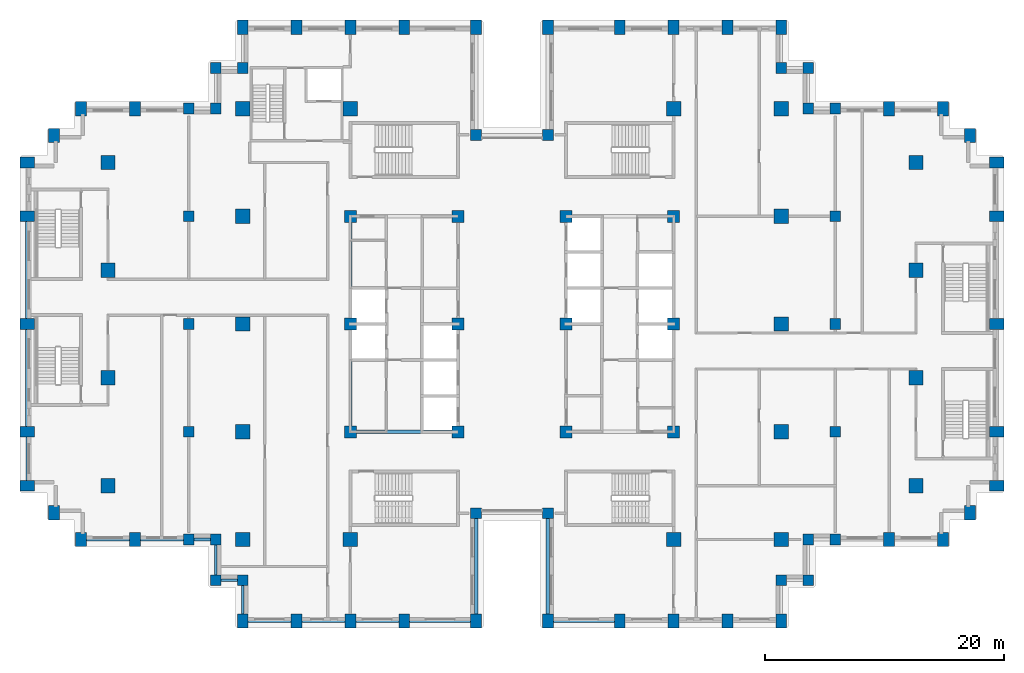
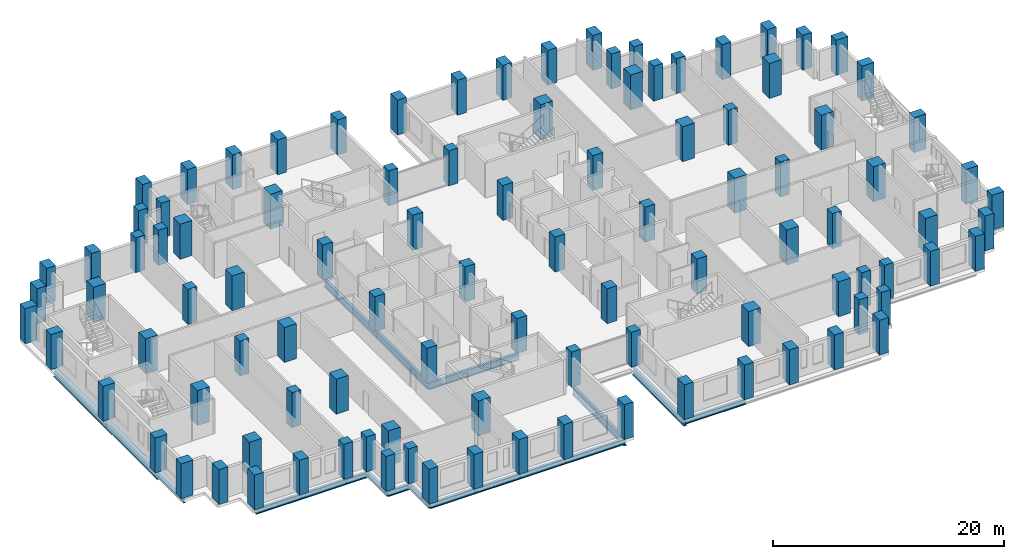
# One storey, part 1 of 16: 102 columns, 19 beams.
"""IFC4 building model written with IfcOpenShell, lengths in metres."""

from ifc_helpers import new_model, si_unit, direction, frame, origin, origin_2d, place, context, subcontext, project, spatial, rectangle, i_section, extrude, material, material_profile, profile_set, type_object, element, save


model = new_model("IFC4")

# Units and contexts
model_context = context("Model", 3, precision=1e-05, world=origin(), true_north=direction((0.0, 1.0)))
body_context = subcontext(model_context, "Body", "Model", "MODEL_VIEW")
ifc_project = project(units=[si_unit("LENGTHUNIT", "METRE"), si_unit("AREAUNIT", "SQUARE_METRE"), si_unit("VOLUMEUNIT", "CUBIC_METRE"), si_unit("PLANEANGLEUNIT", "RADIAN"), si_unit("MASSUNIT", "GRAM", prefix="KILO")], contexts=[model_context])

# Site, building, storey
site_placement = place(None, origin())
site = spatial("IfcSite", under=ifc_project, at=site_placement, CompositionType="ELEMENT")
building_placement = place(site_placement, origin())
building = spatial("IfcBuilding", under=site, at=building_placement, Name="Corbelhall Arena Tower", CompositionType="ELEMENT")
storey_placement = place(building_placement, frame((0.0, 0.0, 104.0)))
storey = spatial("IfcBuildingStorey", under=building, at=storey_placement, Name="L18", CompositionType="ELEMENT", Elevation=104.0)

# Columns
ifc_material_1 = material(Name="Concrete C80/95", Category="concrete")
ifc_material_profile_1 = material_profile(ifc_material_1, rectangle(XDim=1.0, YDim=1.0, at=origin_2d()))
ifc_profile_set_1 = profile_set([ifc_material_profile_1], Name="Concrete C80/95")
column_type_1 = type_object("IfcColumnType", Name="ST-COL-RC 1000x1000", PredefinedType="COLUMN", material=ifc_profile_set_1)
for number, where, z_axis, x_axis, name in (
    (1, (4.5, 0.0, 0.0), (0.0, 0.0, 1.0), (1.0, 0.0, 0.0), "Column KE+0450+0000"),
    (2, (4.5, 9.0, 0.0), (0.0, 0.0, 1.0), (1.0, 0.0, 0.0), "Column KE+0450+0900"),
    (3, (4.5, -9.0, 0.0), (0.0, 0.0, 1.0), (1.0, 0.0, 0.0), "Column KE+0450-0900"),
    (4, (13.5, 0.0, 0.0), (0.0, 0.0, 1.0), (1.0, 0.0, 0.0), "Column KE+1350+0000"),
    (5, (13.5, 9.0, 0.0), (0.0, 0.0, 1.0), (1.0, 0.0, 0.0), "Column KE+1350+0900"),
    (6, (13.5, -9.0, 0.0), (0.0, 0.0, 1.0), (1.0, 0.0, 0.0), "Column KE+1350-0900"),
    (7, (-4.5, 0.0, 0.0), (0.0, 0.0, 1.0), (1.0, 0.0, 0.0), "Column KW-0450+0000"),
    (8, (-4.5, 9.0, 0.0), (0.0, 0.0, 1.0), (1.0, 0.0, 0.0), "Column KW-0450+0900"),
    (9, (-4.5, -9.0, 0.0), (0.0, 0.0, 1.0), (1.0, 0.0, 0.0), "Column KW-0450-0900"),
    (10, (-13.5, 0.0, 0.0), (0.0, 0.0, 1.0), (1.0, 0.0, 0.0), "Column KW-1350+0000"),
    (11, (-13.5, 9.0, 0.0), (0.0, 0.0, 1.0), (1.0, 0.0, 0.0), "Column KW-1350+0900"),
    (12, (-13.5, -9.0, 0.0), (0.0, 0.0, 1.0), (1.0, 0.0, 0.0), "Column KW-1350-0900"),
):
    element("IfcColumn", number, at=place(storey_placement, frame(where, z_axis=z_axis, x_axis=x_axis)), inside=storey, type_object=column_type_1, Name=name, PredefinedType="COLUMN", context=body_context, shape_type="SweptSolid", body=[
        extrude(rectangle(XDim=1.0, YDim=1.0, at=origin_2d()), origin(), (0.0, 0.0, 1.0), 3.699951171875),
    ])
ifc_material_profile_2 = material_profile(ifc_material_1, rectangle(XDim=1.199951171875, YDim=1.199951171875, at=origin_2d()))
ifc_profile_set_2 = profile_set([ifc_material_profile_2], Name="Concrete C80/95")
column_type_2 = type_object("IfcColumnType", Name="ST-COL-RC 1200x1200", PredefinedType="COLUMN", material=ifc_profile_set_2)
for number, where, z_axis, x_axis, name in (
    (13, (-33.75, 4.5, 0.0), (0.0, 0.0, 1.0), (1.0, 0.0, 0.0), "Column FIC+0450"),
    (14, (-33.75, 13.5, 0.0), (0.0, 0.0, 1.0), (1.0, 0.0, 0.0), "Column FIC+1350"),
    (15, (-33.75, -4.5, 0.0), (0.0, 0.0, 1.0), (1.0, 0.0, 0.0), "Column FIC-0450"),
    (16, (-33.75, -13.5, 0.0), (0.0, 0.0, 1.0), (1.0, 0.0, 0.0), "Column FIC-1350"),
    (17, (33.75, 4.5, 0.0), (0.0, 0.0, 1.0), (1.0, 0.0, 0.0), "Column FID+0450"),
    (18, (33.75, 13.5, 0.0), (0.0, 0.0, 1.0), (1.0, 0.0, 0.0), "Column FID+1350"),
    (19, (33.75, -4.5, 0.0), (0.0, 0.0, 1.0), (1.0, 0.0, 0.0), "Column FID-0450"),
    (20, (33.75, -13.5, 0.0), (0.0, 0.0, 1.0), (1.0, 0.0, 0.0), "Column FID-1350"),
    (21, (13.5, 18.0, 0.0), (0.0, 0.0, 1.0), (1.0, 0.0, 0.0), "Column IE13+1800"),
    (22, (13.5, -18.0, 0.0), (0.0, 0.0, 1.0), (1.0, 0.0, 0.0), "Column IE13-1800"),
    (23, (22.5, 0.0, 0.0), (0.0, 0.0, 1.0), (1.0, 0.0, 0.0), "Column IE22+0000"),
    (24, (22.5, 9.0, 0.0), (0.0, 0.0, 1.0), (1.0, 0.0, 0.0), "Column IE22+0900"),
    (25, (22.5, 18.0, 0.0), (0.0, 0.0, 1.0), (1.0, 0.0, 0.0), "Column IE22+1800"),
    (26, (22.5, -9.0, 0.0), (0.0, 0.0, 1.0), (1.0, 0.0, 0.0), "Column IE22-0900"),
    (27, (22.5, -18.0, 0.0), (0.0, 0.0, 1.0), (1.0, 0.0, 0.0), "Column IE22-1800"),
    (28, (-13.5, 18.0, 0.0), (0.0, 0.0, 1.0), (1.0, 0.0, 0.0), "Column IW13+1800"),
    (29, (-13.5, -18.0, 0.0), (0.0, 0.0, 1.0), (1.0, 0.0, 0.0), "Column IW13-1800"),
    (30, (-22.5, 0.0, 0.0), (0.0, 0.0, 1.0), (1.0, 0.0, 0.0), "Column IW22+0000"),
    (31, (-22.5, 9.0, 0.0), (0.0, 0.0, 1.0), (1.0, 0.0, 0.0), "Column IW22+0900"),
    (32, (-22.5, 18.0, 0.0), (0.0, 0.0, 1.0), (1.0, 0.0, 0.0), "Column IW22+1800"),
    (33, (-22.5, -9.0, 0.0), (0.0, 0.0, 1.0), (1.0, 0.0, 0.0), "Column IW22-0900"),
    (34, (-22.5, -18.0, 0.0), (0.0, 0.0, 1.0), (1.0, 0.0, 0.0), "Column IW22-1800"),
):
    element("IfcColumn", number, at=place(storey_placement, frame(where, z_axis=z_axis, x_axis=x_axis)), inside=storey, type_object=column_type_2, Name=name, PredefinedType="COLUMN", context=body_context, shape_type="SweptSolid", body=[
        extrude(rectangle(XDim=1.199951171875, YDim=1.199951171875, at=origin_2d()), origin(), (0.0, 0.0, 1.0), 3.699951171875),
    ])
ifc_material_profile_3 = material_profile(ifc_material_1, rectangle(XDim=0.89990234375, YDim=1.199951171875, at=origin_2d()))
ifc_profile_set_3 = profile_set([ifc_material_profile_3], Name="Concrete C80/95")
column_type_3 = type_object("IfcColumnType", Name="ST-COL-RC 900x1200", PredefinedType="COLUMN", material=ifc_profile_set_3)
for number, where, z_axis, x_axis, name in (
    (35, (-40.5, 0.0, 0.0), (0.0, 0.0, 1.0), (0.0, 1.0, 0.0), "Column FC+0000"),
    (36, (-40.5, 9.0, 0.0), (0.0, 0.0, 1.0), (0.0, 1.0, 0.0), "Column FC+0900"),
    (37, (-40.5, 13.5, 0.0), (0.0, 0.0, 1.0), (0.0, 1.0, 0.0), "Column FC+1350"),
    (38, (-40.5, -9.0, 0.0), (0.0, 0.0, 1.0), (0.0, 1.0, 0.0), "Column FC-0900"),
    (39, (-40.5, -13.5, 0.0), (0.0, 0.0, 1.0), (0.0, 1.0, 0.0), "Column FC-1350"),
    (40, (-38.25, 15.75, 0.0), (0.0, 0.0, 1.0), (1.0, 0.0, 0.0), "Column FCCN"),
    (41, (-38.25, -15.75, 0.0), (0.0, 0.0, 1.0), (1.0, 0.0, 0.0), "Column FCCS"),
    (42, (-31.5, 18.0, 0.0), (0.0, 0.0, 1.0), (1.0, 0.0, 0.0), "Column FCN3150"),
    (43, (-36.0, 18.0, 0.0), (0.0, 0.0, 1.0), (1.0, 0.0, 0.0), "Column FCN3600"),
    (44, (-31.5, -18.0, 0.0), (0.0, 0.0, 1.0), (1.0, 0.0, 0.0), "Column FCS3150"),
    (45, (-36.0, -18.0, 0.0), (0.0, 0.0, 1.0), (1.0, 0.0, 0.0), "Column FCS3600"),
    (46, (40.5, 0.0, 0.0), (0.0, 0.0, 1.0), (0.0, 1.0, 0.0), "Column FD+0000"),
    (47, (40.5, 9.0, 0.0), (0.0, 0.0, 1.0), (0.0, 1.0, 0.0), "Column FD+0900"),
    (48, (40.5, 13.5, 0.0), (0.0, 0.0, 1.0), (0.0, 1.0, 0.0), "Column FD+1350"),
    (49, (40.5, -9.0, 0.0), (0.0, 0.0, 1.0), (0.0, 1.0, 0.0), "Column FD-0900"),
    (50, (40.5, -13.5, 0.0), (0.0, 0.0, 1.0), (0.0, 1.0, 0.0), "Column FD-1350"),
    (51, (38.25, 15.75, 0.0), (0.0, 0.0, 1.0), (1.0, 0.0, 0.0), "Column FDCN"),
    (52, (38.25, -15.75, 0.0), (0.0, 0.0, 1.0), (1.0, 0.0, 0.0), "Column FDCS"),
    (53, (31.5, 18.0, 0.0), (0.0, 0.0, 1.0), (1.0, 0.0, 0.0), "Column FDN3150"),
    (54, (36.0, 18.0, 0.0), (0.0, 0.0, 1.0), (1.0, 0.0, 0.0), "Column FDN3600"),
    (55, (31.5, -18.0, 0.0), (0.0, 0.0, 1.0), (1.0, 0.0, 0.0), "Column FDS3150"),
    (56, (36.0, -18.0, 0.0), (0.0, 0.0, 1.0), (1.0, 0.0, 0.0), "Column FDS3600"),
    (57, (3.0, 24.800048828125, 0.0), (0.0, 0.0, 1.0), (1.0, 0.0, 0.0), "Column PNE0300"),
    (58, (9.0, 24.800048828125, 0.0), (0.0, 0.0, 1.0), (1.0, 0.0, 0.0), "Column PNE0900"),
    (59, (13.5, 24.800048828125, 0.0), (0.0, 0.0, 1.0), (1.0, 0.0, 0.0), "Column PNE1350"),
    (60, (18.0, 24.800048828125, 0.0), (0.0, 0.0, 1.0), (1.0, 0.0, 0.0), "Column PNE1800"),
    (61, (22.5, 24.800048828125, 0.0), (0.0, 0.0, 1.0), (1.0, 0.0, 0.0), "Column PNE2250"),
    (62, (-3.0, 24.800048828125, 0.0), (0.0, 0.0, 1.0), (1.0, 0.0, 0.0), "Column PNW0300"),
    (63, (-9.0, 24.800048828125, 0.0), (0.0, 0.0, 1.0), (1.0, 0.0, 0.0), "Column PNW0900"),
    (64, (-13.5, 24.800048828125, 0.0), (0.0, 0.0, 1.0), (1.0, 0.0, 0.0), "Column PNW1350"),
    (65, (-18.0, 24.800048828125, 0.0), (0.0, 0.0, 1.0), (1.0, 0.0, 0.0), "Column PNW1800"),
    (66, (-22.5, 24.800048828125, 0.0), (0.0, 0.0, 1.0), (1.0, 0.0, 0.0), "Column PNW2250"),
    (67, (3.0, -24.800048828125, 0.0), (0.0, 0.0, 1.0), (1.0, 0.0, 0.0), "Column PSE0300"),
    (68, (9.0, -24.800048828125, 0.0), (0.0, 0.0, 1.0), (1.0, 0.0, 0.0), "Column PSE0900"),
    (69, (13.5, -24.800048828125, 0.0), (0.0, 0.0, 1.0), (1.0, 0.0, 0.0), "Column PSE1350"),
    (70, (18.0, -24.800048828125, 0.0), (0.0, 0.0, 1.0), (1.0, 0.0, 0.0), "Column PSE1800"),
    (71, (22.5, -24.800048828125, 0.0), (0.0, 0.0, 1.0), (1.0, 0.0, 0.0), "Column PSE2250"),
    (72, (-3.0, -24.800048828125, 0.0), (0.0, 0.0, 1.0), (1.0, 0.0, 0.0), "Column PSW0300"),
    (73, (-9.0, -24.800048828125, 0.0), (0.0, 0.0, 1.0), (1.0, 0.0, 0.0), "Column PSW0900"),
    (74, (-13.5, -24.800048828125, 0.0), (0.0, 0.0, 1.0), (1.0, 0.0, 0.0), "Column PSW1350"),
    (75, (-18.0, -24.800048828125, 0.0), (0.0, 0.0, 1.0), (1.0, 0.0, 0.0), "Column PSW1800"),
    (76, (-22.5, -24.800048828125, 0.0), (0.0, 0.0, 1.0), (1.0, 0.0, 0.0), "Column PSW2250"),
):
    element("IfcColumn", number, at=place(storey_placement, frame(where, z_axis=z_axis, x_axis=x_axis)), inside=storey, type_object=column_type_3, Name=name, PredefinedType="COLUMN", context=body_context, shape_type="SweptSolid", body=[
        extrude(rectangle(XDim=0.89990234375, YDim=1.199951171875, at=origin_2d()), origin(), (0.0, 0.0, 1.0), 3.699951171875),
    ])
ifc_material_profile_4 = material_profile(ifc_material_1, rectangle(XDim=0.89990234375, YDim=0.89990234375, at=origin_2d()))
ifc_profile_set_4 = profile_set([ifc_material_profile_4], Name="Concrete C80/95")
column_type_4 = type_object("IfcColumnType", Name="ST-COL-RC 900x900", PredefinedType="COLUMN", material=ifc_profile_set_4)
for number, where, z_axis, x_axis, name in (
    (77, (27.0, 0.0, 0.0), (0.0, 0.0, 1.0), (1.0, 0.0, 0.0), "Column PE+0000"),
    (78, (27.0, 9.0, 0.0), (0.0, 0.0, 1.0), (1.0, 0.0, 0.0), "Column PE+0900"),
    (79, (27.0, 18.0, 0.0), (0.0, 0.0, 1.0), (1.0, 0.0, 0.0), "Column PE+1800"),
    (80, (27.0, -9.0, 0.0), (0.0, 0.0, 1.0), (1.0, 0.0, 0.0), "Column PE-0900"),
    (81, (27.0, -18.0, 0.0), (0.0, 0.0, 1.0), (1.0, 0.0, 0.0), "Column PE-1800"),
    (82, (-27.0, 0.0, 0.0), (0.0, 0.0, 1.0), (1.0, 0.0, 0.0), "Column PW+0000"),
    (83, (-27.0, 9.0, 0.0), (0.0, 0.0, 1.0), (1.0, 0.0, 0.0), "Column PW+0900"),
    (84, (-27.0, 18.0, 0.0), (0.0, 0.0, 1.0), (1.0, 0.0, 0.0), "Column PW+1800"),
    (85, (-27.0, -9.0, 0.0), (0.0, 0.0, 1.0), (1.0, 0.0, 0.0), "Column PW-0900"),
    (86, (-27.0, -18.0, 0.0), (0.0, 0.0, 1.0), (1.0, 0.0, 0.0), "Column PW-1800"),
    (87, (3.0, 15.800048828125, 0.0), (0.0, 0.0, 1.0), (1.0, 0.0, 0.0), "Column SLNE2"),
    (88, (-3.0, 15.800048828125, 0.0), (0.0, 0.0, 1.0), (1.0, 0.0, 0.0), "Column SLNW2"),
    (89, (3.0, -15.800048828125, 0.0), (0.0, 0.0, 1.0), (1.0, 0.0, 0.0), "Column SLSE2"),
    (90, (-3.0, -15.800048828125, 0.0), (0.0, 0.0, 1.0), (1.0, 0.0, 0.0), "Column SLSW2"),
    (91, (22.5, 21.39990234375, 0.0), (0.0, 0.0, 1.0), (1.0, 0.0, 0.0), "Column XNE1"),
    (92, (24.75, 21.39990234375, 0.0), (0.0, 0.0, 1.0), (1.0, 0.0, 0.0), "Column XNE2"),
    (93, (24.75, 18.0, 0.0), (0.0, 0.0, 1.0), (1.0, 0.0, 0.0), "Column XNE3"),
    (94, (-22.5, 21.39990234375, 0.0), (0.0, 0.0, 1.0), (1.0, 0.0, 0.0), "Column XNW1"),
    (95, (-24.75, 21.39990234375, 0.0), (0.0, 0.0, 1.0), (1.0, 0.0, 0.0), "Column XNW2"),
    (96, (-24.75, 18.0, 0.0), (0.0, 0.0, 1.0), (1.0, 0.0, 0.0), "Column XNW3"),
    (97, (22.5, -21.39990234375, 0.0), (0.0, 0.0, 1.0), (1.0, 0.0, 0.0), "Column XSE1"),
    (98, (24.75, -21.39990234375, 0.0), (0.0, 0.0, 1.0), (1.0, 0.0, 0.0), "Column XSE2"),
    (99, (24.75, -18.0, 0.0), (0.0, 0.0, 1.0), (1.0, 0.0, 0.0), "Column XSE3"),
    (100, (-22.5, -21.39990234375, 0.0), (0.0, 0.0, 1.0), (1.0, 0.0, 0.0), "Column XSW1"),
    (101, (-24.75, -21.39990234375, 0.0), (0.0, 0.0, 1.0), (1.0, 0.0, 0.0), "Column XSW2"),
    (102, (-24.75, -18.0, 0.0), (0.0, 0.0, 1.0), (1.0, 0.0, 0.0), "Column XSW3"),
):
    element("IfcColumn", number, at=place(storey_placement, frame(where, z_axis=z_axis, x_axis=x_axis)), inside=storey, type_object=column_type_4, Name=name, PredefinedType="COLUMN", context=body_context, shape_type="SweptSolid", body=[
        extrude(rectangle(XDim=0.89990234375, YDim=0.89990234375, at=origin_2d()), origin(), (0.0, 0.0, 1.0), 3.699951171875),
    ])

# Beams
ifc_material_2 = material(Name="Steel ASTM A992 Gr50", Category="steel")
ifc_material_profile_5 = material_profile(ifc_material_2, i_section(OverallWidth=0.2666015625, OverallDepth=0.761962890625, WebThickness=0.014404296875, FlangeThickness=0.021484375, at=origin_2d()))
ifc_profile_set_5 = profile_set([ifc_material_profile_5], Name="Steel ASTM A992 Gr50")
beam_type_1 = type_object("IfcBeamType", Name="ST-BEAM-W30x116", PredefinedType="BEAM", material=ifc_profile_set_5)
for number, where, z_axis, x_axis, name in (
    (103, (-13.5, -9.0, -0.680908203125), (0.0, 1.0, 0.0), (-1.0, 0.0, 0.0), "Beam CEW 1"),
    (104, (-13.5, 0.0, -0.680908203125), (0.0, 1.0, 0.0), (-1.0, 0.0, 0.0), "Beam CEW 2"),
    (105, (-13.5, -9.0, -0.680908203125), (1.0, 0.0, 0.0), (0.0, 1.0, 0.0), "Beam CEW 5"),
):
    element("IfcBeam", number, at=place(storey_placement, frame(where, z_axis=z_axis, x_axis=x_axis)), inside=storey, type_object=beam_type_1, Name=name, PredefinedType="BEAM", context=body_context, shape_type="SweptSolid", body=[
        extrude(i_section(OverallWidth=0.2666015625, OverallDepth=0.761962890625, WebThickness=0.014404296875, FlangeThickness=0.021484375, at=origin_2d()), origin(), (0.0, 0.0, 1.0), 9.0),
    ])
ifc_material_profile_6 = material_profile(ifc_material_2, i_section(OverallWidth=0.23046875, OverallDepth=0.6171875, WebThickness=0.01318359375, FlangeThickness=0.022216796875, at=origin_2d()))
ifc_profile_set_6 = profile_set([ifc_material_profile_6], Name="Steel ASTM A992 Gr50")
beam_type_2 = type_object("IfcBeamType", Name="ST-SPANDREL-W24x94", PredefinedType="SPANDREL", material=ifc_profile_set_6)
for number, where, z_axis, x_axis, name in (
    (106, (-40.5, -13.5, -0.608642578125), (0.0, 1.0, 0.0), (-1.0, 0.0, 0.0), "Beam SP 4"),
    (107, (-31.5, -18.0, -0.608642578125), (-1.0, 0.0, 0.0), (0.0, -1.0, 0.0), "Beam SP 7"),
):
    element("IfcBeam", number, at=place(storey_placement, frame(where, z_axis=z_axis, x_axis=x_axis)), inside=storey, type_object=beam_type_2, Name=name, PredefinedType="SPANDREL", context=body_context, shape_type="SweptSolid", body=[
        extrude(i_section(OverallWidth=0.23046875, OverallDepth=0.6171875, WebThickness=0.01318359375, FlangeThickness=0.022216796875, at=origin_2d()), origin(), (0.0, 0.0, 1.0), 4.5),
    ])
for number, where, z_axis, x_axis, name in (
    (108, (9.0, -24.800048828125, -0.608642578125), (-1.0, 0.0, 0.0), (0.0, -1.0, 0.0), "Beam SP 28"),
    (109, (-3.0, -24.800048828125, -0.608642578125), (-1.0, 0.0, 0.0), (0.0, -1.0, 0.0), "Beam SP 32"),
):
    element("IfcBeam", number, at=place(storey_placement, frame(where, z_axis=z_axis, x_axis=x_axis)), inside=storey, type_object=beam_type_2, Name=name, PredefinedType="SPANDREL", context=body_context, shape_type="SweptSolid", body=[
        extrude(i_section(OverallWidth=0.23046875, OverallDepth=0.6171875, WebThickness=0.01318359375, FlangeThickness=0.022216796875, at=origin_2d()), origin(), (0.0, 0.0, 1.0), 6.0),
    ])
for number, where, z_axis, x_axis, name in (
    (110, (-9.0, -24.800048828125, -0.608642578125), (-1.0, 0.0, 0.0), (0.0, -1.0, 0.0), "Beam SP 33"),
    (111, (-13.5, -24.800048828125, -0.608642578125), (-1.0, 0.0, 0.0), (0.0, -1.0, 0.0), "Beam SP 34"),
    (112, (-18.0, -24.800048828125, -0.608642578125), (-1.0, 0.0, 0.0), (0.0, -1.0, 0.0), "Beam SP 35"),
):
    element("IfcBeam", number, at=place(storey_placement, frame(where, z_axis=z_axis, x_axis=x_axis)), inside=storey, type_object=beam_type_2, Name=name, PredefinedType="SPANDREL", context=body_context, shape_type="SweptSolid", body=[
        extrude(i_section(OverallWidth=0.23046875, OverallDepth=0.6171875, WebThickness=0.01318359375, FlangeThickness=0.022216796875, at=origin_2d()), origin(), (0.0, 0.0, 1.0), 4.5),
    ])
beam_1_placement = place(storey_placement, frame((-22.5, -24.800048828125, -0.608642578125), z_axis=(0.0, 1.0, 0.0), x_axis=(-1.0, 0.0, 0.0)))
element("IfcBeam", 113, at=beam_1_placement, inside=storey, type_object=beam_type_2, Name="Beam SP 36", PredefinedType="SPANDREL", context=body_context, shape_type="SweptSolid", body=[
    extrude(i_section(OverallWidth=0.23046875, OverallDepth=0.6171875, WebThickness=0.01318359375, FlangeThickness=0.022216796875, at=origin_2d()), origin(), (0.0, 0.0, 1.0), 3.400146484375),
])
beam_2_placement = place(storey_placement, frame((-27.0, -18.0, -0.608642578125), z_axis=(-1.0, 0.0, 0.0), x_axis=(0.0, -1.0, 0.0)))
element("IfcBeam", 114, at=beam_2_placement, inside=storey, type_object=beam_type_2, Name="Beam SP 38", PredefinedType="SPANDREL", context=body_context, shape_type="SweptSolid", body=[
    extrude(i_section(OverallWidth=0.23046875, OverallDepth=0.6171875, WebThickness=0.01318359375, FlangeThickness=0.022216796875, at=origin_2d()), origin(), (0.0, 0.0, 1.0), 4.5),
])
beam_3_placement = place(storey_placement, frame((-22.5, -21.39990234375, -0.608642578125), z_axis=(-1.0, 0.0, 0.0), x_axis=(0.0, -1.0, 0.0)))
element("IfcBeam", 115, at=beam_3_placement, inside=storey, type_object=beam_type_2, Name="Beam SP 52", PredefinedType="SPANDREL", context=body_context, shape_type="SweptSolid", body=[
    extrude(i_section(OverallWidth=0.23046875, OverallDepth=0.6171875, WebThickness=0.01318359375, FlangeThickness=0.022216796875, at=origin_2d()), origin(), (0.0, 0.0, 1.0), 2.25),
])
beam_4_placement = place(storey_placement, frame((-24.75, -21.39990234375, -0.608642578125), z_axis=(0.0, 1.0, 0.0), x_axis=(-1.0, 0.0, 0.0)))
element("IfcBeam", 116, at=beam_4_placement, inside=storey, type_object=beam_type_2, Name="Beam SP 53", PredefinedType="SPANDREL", context=body_context, shape_type="SweptSolid", body=[
    extrude(i_section(OverallWidth=0.23046875, OverallDepth=0.6171875, WebThickness=0.01318359375, FlangeThickness=0.022216796875, at=origin_2d()), origin(), (0.0, 0.0, 1.0), 3.39990234375),
])
beam_5_placement = place(storey_placement, frame((-24.75, -18.0, -0.608642578125), z_axis=(-1.0, 0.0, 0.0), x_axis=(0.0, -1.0, 0.0)))
element("IfcBeam", 117, at=beam_5_placement, inside=storey, type_object=beam_type_2, Name="Beam SP 54", PredefinedType="SPANDREL", context=body_context, shape_type="SweptSolid", body=[
    extrude(i_section(OverallWidth=0.23046875, OverallDepth=0.6171875, WebThickness=0.01318359375, FlangeThickness=0.022216796875, at=origin_2d()), origin(), (0.0, 0.0, 1.0), 2.25),
])
ifc_material_profile_7 = material_profile(ifc_material_2, i_section(OverallWidth=0.2919921875, OverallDepth=0.845703125, WebThickness=0.015380859375, FlangeThickness=0.0244140625, at=origin_2d()))
ifc_profile_set_7 = profile_set([ifc_material_profile_7], Name="Steel ASTM A992 Gr50")
beam_type_3 = type_object("IfcBeamType", Name="ST-SPANDREL-W33x141", PredefinedType="SPANDREL", material=ifc_profile_set_7)
for number, where, z_axis, x_axis, name in (
    (118, (-40.5, 0.0, -0.722900390625), (0.0, 1.0, 0.0), (-1.0, 0.0, 0.0), "Beam SP 1"),
    (119, (-40.5, -9.0, -0.722900390625), (0.0, 1.0, 0.0), (-1.0, 0.0, 0.0), "Beam SP 3"),
    (120, (3.0, -24.800048828125, -0.722900390625), (0.0, 1.0, 0.0), (-1.0, 0.0, 0.0), "Beam SP 27"),
    (121, (-3.0, -15.800048828125, -0.722900390625), (0.0, -1.0, 0.0), (1.0, 0.0, 0.0), "Beam SP 42"),
):
    element("IfcBeam", number, at=place(storey_placement, frame(where, z_axis=z_axis, x_axis=x_axis)), inside=storey, type_object=beam_type_3, Name=name, PredefinedType="SPANDREL", context=body_context, shape_type="SweptSolid", body=[
        extrude(i_section(OverallWidth=0.2919921875, OverallDepth=0.845703125, WebThickness=0.015380859375, FlangeThickness=0.0244140625, at=origin_2d()), origin(), (0.0, 0.0, 1.0), 9.0),
    ])

save(model, "model.ifc")
